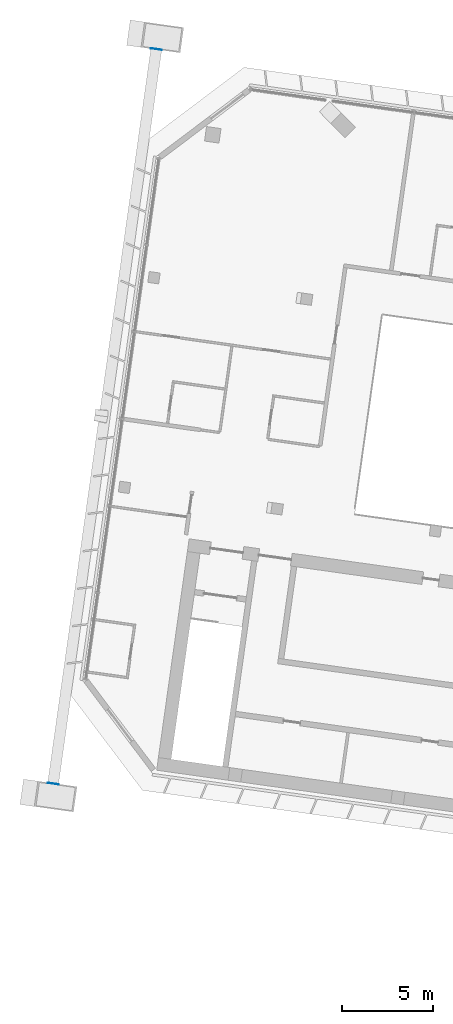
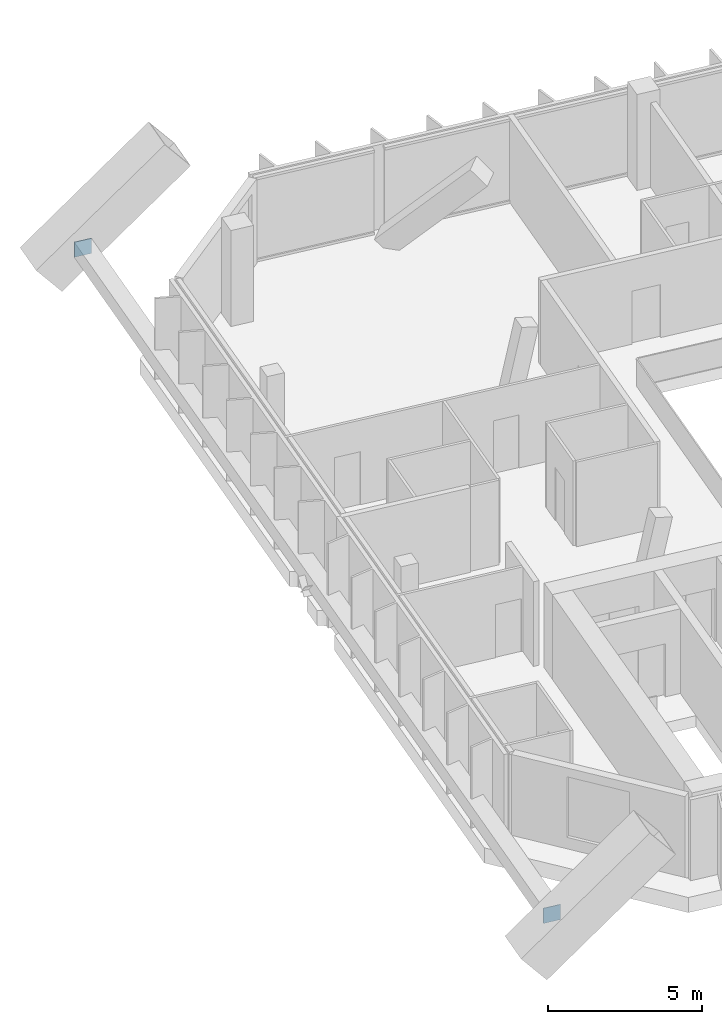
# One storey, part 29 of 32: 2 discrete accessories.
"""IFC4 building model written with IfcOpenShell, lengths in metres."""

from ifc_helpers import new_model, si_unit, direction, frame, origin, origin_2d, place, context, subcontext, project, spatial, rectangle, extrude, material, material_profile, profile_set, type_object, element, save


model = new_model("IFC4")

# Units and contexts
model_context = context("Model", 3, precision=1e-05, world=origin(), true_north=direction((0.0, 1.0)))
body_context = subcontext(model_context, "Body", "Model", "MODEL_VIEW")
ifc_project = project(units=[si_unit("LENGTHUNIT", "METRE"), si_unit("AREAUNIT", "SQUARE_METRE"), si_unit("VOLUMEUNIT", "CUBIC_METRE"), si_unit("PLANEANGLEUNIT", "RADIAN"), si_unit("MASSUNIT", "GRAM", prefix="KILO")], contexts=[model_context])

# Site, building, storey
site_placement = place(None, origin())
site = spatial("IfcSite", under=ifc_project, at=site_placement, CompositionType="ELEMENT")
building_placement = place(site_placement, origin())
building = spatial("IfcBuilding", under=site, at=building_placement, Name="Mirante Cascada Hotel Towers", CompositionType="ELEMENT")
storey_placement = place(building_placement, frame((0.0, 0.0, 176.4)))
storey = spatial("IfcBuildingStorey", under=building, at=storey_placement, Name="L41", CompositionType="ELEMENT", Elevation=176.4)

# Discrete accessories
ifc_material = material(Name="Steel ASTM A572 Gr 50", Category="steel")
ifc_material_profile = material_profile(ifc_material, rectangle(XDim=0.6, YDim=0.6, at=origin_2d()), Name="Connection plate 600x600x25 ASTM A572 Gr 50")
ifc_profile_set = profile_set([ifc_material_profile], Name="Steel ASTM A572 Gr 50")
discrete_accessory_type = type_object("IfcDiscreteAccessoryType", Name="Connection plate 600x600x25 ASTM A572 Gr 50", PredefinedType="BRACKET", material=ifc_profile_set)
for number, where, z_axis, x_axis, name in (
    (1, (-96.0245, -13.2532, 1.0), (0.1397442, 0.9901876, 0.0), (-0.9901876, 0.1397442, 0.0), "Connection plate NCH"),
    (2, (-90.3685, 26.9913, 1.0), (0.1397442, 0.9901876, 0.0), (-0.9901876, 0.1397442, 0.0), "Connection plate NCH"),
):
    element("IfcDiscreteAccessory", number, at=place(storey_placement, frame(where, z_axis=z_axis, x_axis=x_axis)), inside=storey, type_object=discrete_accessory_type, Name=name, PredefinedType="BRACKET", context=body_context, shape_type="SweptSolid", body=[
        extrude(rectangle(XDim=0.6, YDim=0.6, at=origin_2d()), origin(), (0.0, 0.0, 1.0), 0.025),
    ])

save(model, "model.ifc")
